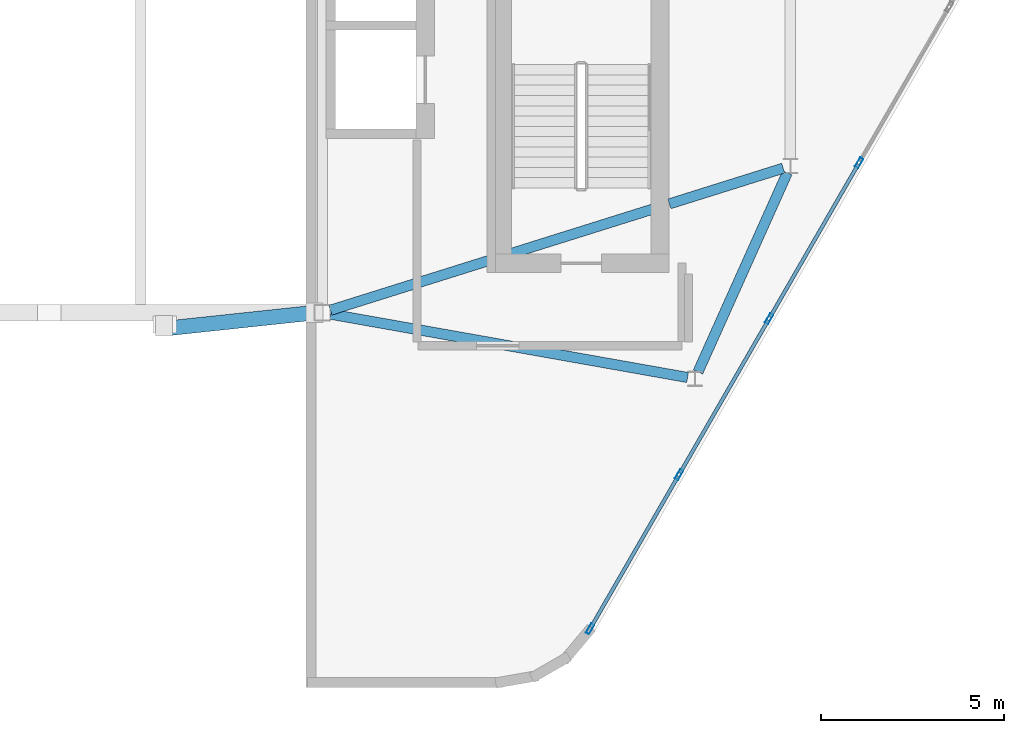
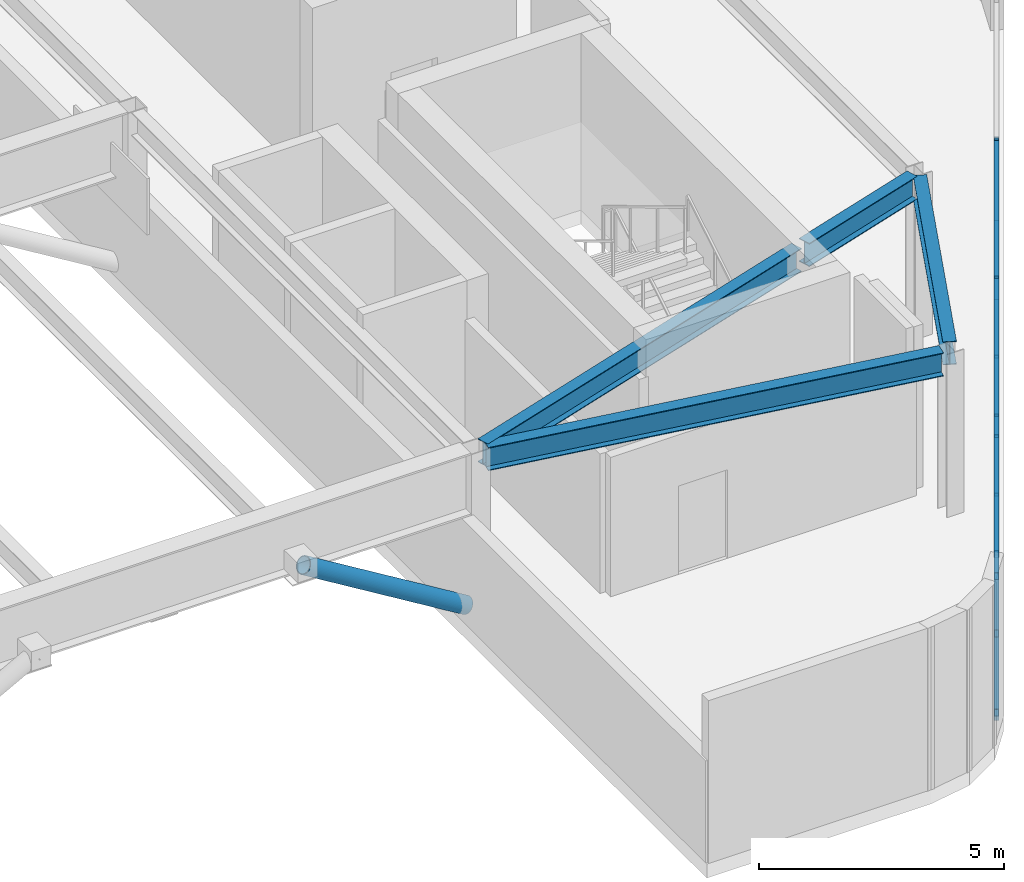
# One storey, part 7 of 16: 14 members, 4 beams, 1 element without a shape of its own.
"""IFC4 building model written with IfcOpenShell, lengths in metres."""

from ifc_helpers import new_model, si_unit, direction, frame, origin, origin_2d, place, context, subcontext, project, spatial, hollow_rectangle, hollow_circle, i_section, extrude, material, material_profile, profile_set, type_object, element, aggregate, save


model = new_model("IFC4")

# Units and contexts
model_context = context("Model", 3, precision=1e-05, world=origin(), true_north=direction((0.0, 1.0)))
body_context = subcontext(model_context, "Body", "Model", "MODEL_VIEW")
ifc_project = project(units=[si_unit("LENGTHUNIT", "METRE"), si_unit("AREAUNIT", "SQUARE_METRE"), si_unit("VOLUMEUNIT", "CUBIC_METRE"), si_unit("PLANEANGLEUNIT", "RADIAN"), si_unit("MASSUNIT", "GRAM", prefix="KILO")], contexts=[model_context])

# Site, building, storey
site_placement = place(None, origin())
site = spatial("IfcSite", under=ifc_project, at=site_placement, CompositionType="ELEMENT")
building_placement = place(site_placement, origin())
building = spatial("IfcBuilding", under=site, at=building_placement, Name="Zuhravey Tower", CompositionType="ELEMENT")
storey_placement = place(building_placement, frame((0.0, 0.0, 374.60009765625)))
storey = spatial("IfcBuildingStorey", under=building, at=storey_placement, Name="L95", CompositionType="ELEMENT", Elevation=374.60009765625)

# Curtain wall, members
ifc_material_1 = material(Name="Thermally broken anodised aluminium", Category="aluminium")
curtain_wall_type = type_object("IfcCurtainWallType", Name="Split-Top Crown Screened Curtain Wall CW6", PredefinedType="NOTDEFINED", material=ifc_material_1)
curtain_wall_placement = place(storey_placement, origin())
curtain_wall = element("IfcCurtainWall", 1, at=curtain_wall_placement, inside=storey, type_object=curtain_wall_type, Name="L95 CW6 CW6-L95-EAST-08", PredefinedType="NOTDEFINED")
ifc_material_2 = material(Name="Anodised aluminium", Category="aluminium")
ifc_material_profile_1 = material_profile(ifc_material_2, hollow_rectangle(XDim=0.10009765625, YDim=0.2900390625, WallThickness=0.006103515625, at=origin_2d()), Name="ALU-RHS-100x290x6")
ifc_profile_set_1 = profile_set([ifc_material_profile_1], Name="Anodised aluminium")
member_type_1 = type_object("IfcMemberType", Name="Heavy Tall-Storey Mullion 100x220", PredefinedType="MULLION", material=ifc_profile_set_1)
member_1_placement = place(storey_placement, frame((58.0751953125, 22.087158203125, 0.0), z_axis=(0.0, 0.0, 1.0), x_axis=(0.866027063754, -0.499997124838, 0.0)))
member_1 = element("IfcMember", 2, at=member_1_placement, type_object=member_type_1, Name="CW6 mullion 3", PredefinedType="MULLION", context=body_context, shape_type="SweptSolid", body=[
    extrude(hollow_rectangle(XDim=0.10009765625, YDim=0.2900390625, WallThickness=0.006103515625, at=origin_2d()), origin(), (0.0, 0.0, 1.0), 4.0498046875),
])
member_2_placement = place(storey_placement, frame((55.622314453125, 17.838623046875, 0.0), z_axis=(0.0, 0.0, 1.0), x_axis=(0.866027063754, -0.499997124838, 0.0)))
member_2 = element("IfcMember", 3, at=member_2_placement, type_object=member_type_1, Name="CW6 mullion 4", PredefinedType="MULLION", context=body_context, shape_type="SweptSolid", body=[
    extrude(hollow_rectangle(XDim=0.10009765625, YDim=0.2900390625, WallThickness=0.006103515625, at=origin_2d()), origin(), (0.0, 0.0, 1.0), 4.0498046875),
])
member_3_placement = place(storey_placement, frame((53.16943359375, 13.590087890625, 0.0), z_axis=(0.0, 0.0, 1.0), x_axis=(0.866027063754, -0.499997124838, 0.0)))
member_3 = element("IfcMember", 4, at=member_3_placement, type_object=member_type_1, Name="CW6 mullion 5", PredefinedType="MULLION", context=body_context, shape_type="SweptSolid", body=[
    extrude(hollow_rectangle(XDim=0.10009765625, YDim=0.2900390625, WallThickness=0.006103515625, at=origin_2d()), origin(), (0.0, 0.0, 1.0), 4.0498046875),
])
member_4_placement = place(storey_placement, frame((50.741455078125, 9.384765625, 0.0), z_axis=(0.0, 0.0, 1.0), x_axis=(0.866027063754, -0.499997124838, 0.0)))
member_4 = element("IfcMember", 5, at=member_4_placement, type_object=member_type_1, Name="CW6 mullion 6", PredefinedType="MULLION", context=body_context, shape_type="SweptSolid", body=[
    extrude(hollow_rectangle(XDim=0.10009765625, YDim=0.2900390625, WallThickness=0.006103515625, at=origin_2d()), origin(), (0.0, 0.0, 1.0), 4.0498046875),
])

# Beams
ifc_material_3 = material(Name="Steel SM355", Category="steel")
ifc_material_profile_2 = material_profile(ifc_material_3, i_section(OverallWidth=0.280029296875, OverallDepth=0.580078125, WebThickness=0.011962890625, FlangeThickness=0.01904296875, at=origin_2d()), Name="H-580x280x12x19")
ifc_profile_set_2 = profile_set([ifc_material_profile_2], Name="Steel SM355")
beam_type = type_object("IfcBeamType", Name="Perimeter Ring Beam H580x280", PredefinedType="BEAM", material=ifc_profile_set_2)
beam_1_placement = place(storey_placement, frame((56.116455078125, 21.81396484375, 3.760009765625), z_axis=(-0.409053547057, -0.912510381113, 0.0), x_axis=(0.912510381113, -0.409053547057, 0.0)))
element("IfcBeam", 6, at=beam_1_placement, inside=storey, type_object=beam_type, Name="L95 PB4 BM-L95-ECR-0-2", PredefinedType="BEAM", context=body_context, shape_type="SweptSolid", body=[
    extrude(i_section(OverallWidth=0.280029296875, OverallDepth=0.580078125, WebThickness=0.011962890625, FlangeThickness=0.01904296875, at=origin_2d()), origin(), (0.0, 0.0, 1.0), 5.9482421875),
])
beam_2_placement = place(storey_placement, frame((53.399169921875, 16.235595703125, 3.760009765625), z_axis=(-0.984637117377, 0.174613135483, 0.0), x_axis=(-0.174613135483, -0.984637117377, 0.0)))
element("IfcBeam", 7, at=beam_2_placement, inside=storey, type_object=beam_type, Name="L95 PB4 BM-L95-ECR-2-4", PredefinedType="BEAM", context=body_context, shape_type="SweptSolid", body=[
    extrude(i_section(OverallWidth=0.280029296875, OverallDepth=0.580078125, WebThickness=0.011962890625, FlangeThickness=0.01904296875, at=origin_2d()), origin(), (0.0, 0.0, 1.0), 9.875244140625),
])
beam_3_placement = place(storey_placement, frame((56.00537109375, 21.93896484375, 3.760009765625), z_axis=(-0.95415195588, -0.299322643799, 0.0), x_axis=(0.299322643799, -0.95415195588, 0.0)))
element("IfcBeam", 8, at=beam_3_placement, inside=storey, type_object=beam_type, Name="L95 PB4 BM-L95-ECR-0-4 (1)", PredefinedType="BEAM", context=body_context, shape_type="SweptSolid", body=[
    extrude(i_section(OverallWidth=0.280029296875, OverallDepth=0.580078125, WebThickness=0.011962890625, FlangeThickness=0.01904296875, at=origin_2d()), origin(), (0.0, 0.0, 1.0), 3.250244140625),
])
beam_4_placement = place(storey_placement, frame((52.680908203125, 20.89599609375, 3.760009765625), z_axis=(-0.954147790341, -0.299335921981, 0.0), x_axis=(0.299335921981, -0.954147790341, 0.0)))
element("IfcBeam", 9, at=beam_4_placement, inside=storey, type_object=beam_type, Name="L95 PB4 BM-L95-ECR-0-4 (2)", PredefinedType="BEAM", context=body_context, shape_type="SweptSolid", body=[
    extrude(i_section(OverallWidth=0.280029296875, OverallDepth=0.580078125, WebThickness=0.011962890625, FlangeThickness=0.01904296875, at=origin_2d()), origin(), (0.0, 0.0, 1.0), 9.445556640625),
])

# Member
ifc_material_profile_3 = material_profile(ifc_material_2, hollow_rectangle(XDim=0.10009765625, YDim=0.179931640625, WallThickness=0.006103515625, at=origin_2d()), Name="ALU-RHS-100x180x6")
ifc_profile_set_3 = profile_set([ifc_material_profile_3], Name="Anodised aluminium")
member_type_2 = type_object("IfcMemberType", Name="Tall-Storey Transom 100x180", PredefinedType="USERDEFINED", material=ifc_profile_set_3)
member_5_placement = place(storey_placement, frame((58.05029296875, 22.0439453125, 0.0498046875), z_axis=(-0.50003466983, -0.866005386223, 0.0), x_axis=(0.866005386223, -0.50003466983, 0.0)))
member_5 = element("IfcMember", 10, at=member_5_placement, type_object=member_type_2, Name="CW6 transom 3.1", ObjectType="TRANSOM", PredefinedType="USERDEFINED", context=body_context, shape_type="SweptSolid", body=[
    extrude(hollow_rectangle(XDim=0.10009765625, YDim=0.179931640625, WallThickness=0.006103515625, at=origin_2d()), origin(), (0.0, 0.0, 1.0), 4.805908203125),
])

member_6_placement = place(storey_placement, frame((58.05029296875, 22.0439453125, 2.02490234375), z_axis=(-0.50003466983, -0.866005386223, 0.0), x_axis=(0.866005386223, -0.50003466983, 0.0)))
member_6 = element("IfcMember", 11, at=member_6_placement, type_object=member_type_2, Name="CW6 transom 3.2", ObjectType="TRANSOM", PredefinedType="USERDEFINED", context=body_context, shape_type="SweptSolid", body=[
    extrude(hollow_rectangle(XDim=0.10009765625, YDim=0.179931640625, WallThickness=0.006103515625, at=origin_2d()), origin(), (0.0, 0.0, 1.0), 4.805908203125),
])

member_7_placement = place(storey_placement, frame((58.05029296875, 22.0439453125, 4.0), z_axis=(-0.50003466983, -0.866005386223, 0.0), x_axis=(0.866005386223, -0.50003466983, 0.0)))
member_7 = element("IfcMember", 12, at=member_7_placement, type_object=member_type_2, Name="CW6 transom 3.3", ObjectType="TRANSOM", PredefinedType="USERDEFINED", context=body_context, shape_type="SweptSolid", body=[
    extrude(hollow_rectangle(XDim=0.10009765625, YDim=0.179931640625, WallThickness=0.006103515625, at=origin_2d()), origin(), (0.0, 0.0, 1.0), 4.805908203125),
])

member_8_placement = place(storey_placement, frame((55.597412109375, 17.79541015625, 0.0498046875), z_axis=(-0.500012672123, -0.866018087407, 0.0), x_axis=(0.866018087407, -0.500012672123, 0.0)))
member_8 = element("IfcMember", 13, at=member_8_placement, type_object=member_type_2, Name="CW6 transom 4.1", ObjectType="TRANSOM", PredefinedType="USERDEFINED", context=body_context, shape_type="SweptSolid", body=[
    extrude(hollow_rectangle(XDim=0.10009765625, YDim=0.179931640625, WallThickness=0.006103515625, at=origin_2d()), origin(), (0.0, 0.0, 1.0), 4.80615234375),
])

member_9_placement = place(storey_placement, frame((55.597412109375, 17.79541015625, 2.02490234375), z_axis=(-0.500012672123, -0.866018087407, 0.0), x_axis=(0.866018087407, -0.500012672123, 0.0)))
member_9 = element("IfcMember", 14, at=member_9_placement, type_object=member_type_2, Name="CW6 transom 4.2", ObjectType="TRANSOM", PredefinedType="USERDEFINED", context=body_context, shape_type="SweptSolid", body=[
    extrude(hollow_rectangle(XDim=0.10009765625, YDim=0.179931640625, WallThickness=0.006103515625, at=origin_2d()), origin(), (0.0, 0.0, 1.0), 4.80615234375),
])

member_10_placement = place(storey_placement, frame((55.597412109375, 17.79541015625, 4.0), z_axis=(-0.500012672123, -0.866018087407, 0.0), x_axis=(0.866018087407, -0.500012672123, 0.0)))
member_10 = element("IfcMember", 15, at=member_10_placement, type_object=member_type_2, Name="CW6 transom 4.3", ObjectType="TRANSOM", PredefinedType="USERDEFINED", context=body_context, shape_type="SweptSolid", body=[
    extrude(hollow_rectangle(XDim=0.10009765625, YDim=0.179931640625, WallThickness=0.006103515625, at=origin_2d()), origin(), (0.0, 0.0, 1.0), 4.80615234375),
])

member_11_placement = place(storey_placement, frame((53.144287109375, 13.546875, 0.0498046875), z_axis=(-0.499965384433, -0.866045388169, 0.0), x_axis=(0.866045388169, -0.499965384433, 0.0)))
member_11 = element("IfcMember", 16, at=member_11_placement, type_object=member_type_2, Name="CW6 transom 5.1", ObjectType="TRANSOM", PredefinedType="USERDEFINED", context=body_context, shape_type="SweptSolid", body=[
    extrude(hollow_rectangle(XDim=0.10009765625, YDim=0.179931640625, WallThickness=0.006103515625, at=origin_2d()), origin(), (0.0, 0.0, 1.0), 4.755615234375),
])

member_12_placement = place(storey_placement, frame((53.144287109375, 13.546875, 2.02490234375), z_axis=(-0.499965384433, -0.866045388169, 0.0), x_axis=(0.866045388169, -0.499965384433, 0.0)))
member_12 = element("IfcMember", 17, at=member_12_placement, type_object=member_type_2, Name="CW6 transom 5.2", ObjectType="TRANSOM", PredefinedType="USERDEFINED", context=body_context, shape_type="SweptSolid", body=[
    extrude(hollow_rectangle(XDim=0.10009765625, YDim=0.179931640625, WallThickness=0.006103515625, at=origin_2d()), origin(), (0.0, 0.0, 1.0), 4.755615234375),
])

member_13_placement = place(storey_placement, frame((53.144287109375, 13.546875, 4.0), z_axis=(-0.499965384433, -0.866045388169, 0.0), x_axis=(0.866045388169, -0.499965384433, 0.0)))
member_13 = element("IfcMember", 18, at=member_13_placement, type_object=member_type_2, Name="CW6 transom 5.3", ObjectType="TRANSOM", PredefinedType="USERDEFINED", context=body_context, shape_type="SweptSolid", body=[
    extrude(hollow_rectangle(XDim=0.10009765625, YDim=0.179931640625, WallThickness=0.006103515625, at=origin_2d()), origin(), (0.0, 0.0, 1.0), 4.755615234375),
])

aggregate(curtain_wall, [member_1, member_2, member_3, member_4, member_5, member_6, member_7, member_8, member_9, member_10, member_11, member_12, member_13])

ifc_material_profile_4 = material_profile(ifc_material_3, hollow_circle(Radius=0.203125, WallThickness=0.02001953125, at=origin_2d()), Name="CHS-406.4x20")
ifc_profile_set_4 = profile_set([ifc_material_profile_4], Name="Steel SM355")
member_type_3 = type_object("IfcMemberType", Name="Wind-Portal Arch Brace CHS406x20", PredefinedType="BRACE", material=ifc_profile_set_4)
member_14_placement = place(storey_placement, frame((43.21923828125, 17.999755859375, 0.180908203125), z_axis=(-0.831960983214, -0.088484176355, 0.547733030723), x_axis=(0.105759685753, -0.994391718021, 0.0)))
element("IfcMember", 19, at=member_14_placement, inside=storey, type_object=member_type_3, Name="L95 Wind-Portal Arch Brace WPB1-1E", PredefinedType="BRACE", context=body_context, shape_type="SweptSolid", body=[
    extrude(hollow_circle(Radius=0.203125, WallThickness=0.02001953125, at=origin_2d()), origin(), (0.0, 0.0, 1.0), 4.88916015625),
])

save(model, "model.ifc")
